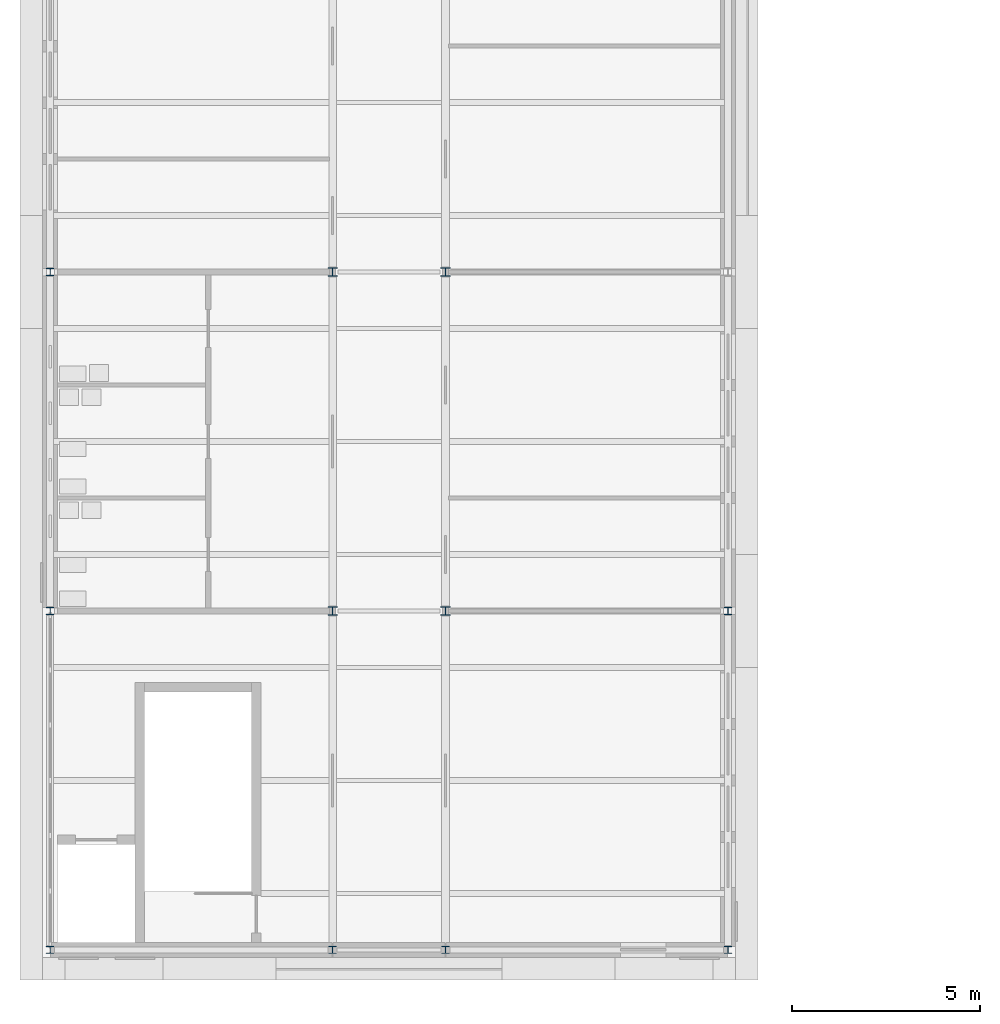
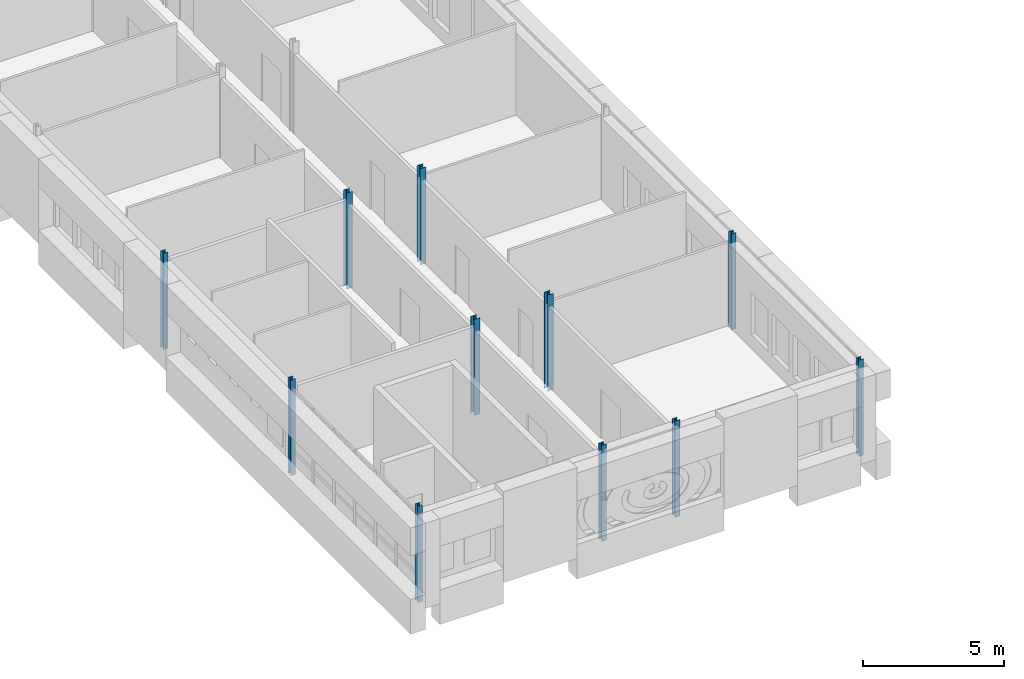
# One storey, part 1 of 42: 11 columns.
"""IFC4 building model written with IfcOpenShell, lengths in metres."""

import ifcopenshell
import ifcopenshell.guid

model = None  # the IFC model being written
_history = None  # IfcOwnerHistory: only IFC2X3 demands one
_inside = {}  # id of a spatial element -> (the spatial element, [elements in it])
_under = {}  # id of a project, library or spatial element -> (it, [spatial elements below it])
_declared = {}  # id of a project -> (the project, [libraries it declares])
_typed = {}  # id of a type object -> (the type object, [elements of that type])
_made_of = {}  # id of a material, layer set ... -> (it, [elements and type objects made of it])


def new_model(schema):
    """Start an empty IFC model of exactly this schema.

    Asked for "IFC4X3", IfcOpenShell would pick the latest addendum, in which some entities
    have other attributes; the version numbers below select the first issue.
    IFC2X3 requires an IfcOwnerHistory on every rooted entity: one is made here for all.
    """
    global model, _history
    if schema == "IFC4X3":
        model = ifcopenshell.file(schema_version=(4, 3, 0, 0))
    else:
        model = ifcopenshell.file(schema=schema)
    _inside.clear()
    _under.clear()
    _declared.clear()
    _typed.clear()
    _made_of.clear()
    _history = None
    if model.schema == "IFC2X3":
        org = make("IfcOrganization", Name="unknown")
        user = make(
            "IfcPersonAndOrganization",
            ThePerson=make("IfcPerson", FamilyName="unknown"),
            TheOrganization=org,
        )
        app = make(
            "IfcApplication",
            ApplicationDeveloper=org,
            Version="unknown",
            ApplicationFullName="unknown",
            ApplicationIdentifier="unknown",
        )
        _history = make(
            "IfcOwnerHistory",
            OwningUser=user,
            OwningApplication=app,
            ChangeAction="ADDED",
            CreationDate=0,
        )
    return model


def make(cls, **values):
    """One entity of the class cls with the attributes given. An attribute that is None is left unset."""
    return model.create_entity(
        cls, **{name: value for name, value in values.items() if value is not None}
    )


def rooted(cls, **values):
    """An entity with a GlobalId (a new one), such as an element, a storey or a relation."""
    return make(cls, GlobalId=ifcopenshell.guid.new(), OwnerHistory=_history, **values)


def si_unit(unit_type, name, prefix=None):
    """IfcSIUnit, for example si_unit("LENGTHUNIT", "METRE", prefix="MILLI")."""
    return make("IfcSIUnit", UnitType=unit_type, Prefix=prefix, Name=name)


def assignment(units):
    """IfcUnitAssignment: the units of a project."""
    return None if units is None else make("IfcUnitAssignment", Units=units)


def point(xyz):
    """IfcCartesianPoint."""
    return None if xyz is None else make("IfcCartesianPoint", Coordinates=xyz)


def direction(xyz):
    """IfcDirection."""
    return None if xyz is None else make("IfcDirection", DirectionRatios=xyz)


def frame(location, z_axis=None, x_axis=None):
    """IfcAxis2Placement3D, a coordinate frame: its origin and axes. An axis left out is left unset."""
    return make(
        "IfcAxis2Placement3D",
        Location=point(location),
        Axis=direction(z_axis),
        RefDirection=direction(x_axis),
    )


def frame_2d(location, x_axis=None):
    """IfcAxis2Placement2D, a coordinate frame in the plane: its origin and x axis."""
    return make(
        "IfcAxis2Placement2D", Location=point(location), RefDirection=direction(x_axis)
    )


def origin():
    """The frame at (0, 0, 0) with its axes left unset."""
    return frame((0.0, 0.0, 0.0))


def origin_2d():
    """The frame at (0, 0) in the plane with its x axis left unset."""
    return frame_2d((0.0, 0.0))


def place(relative_to, where):
    """IfcLocalPlacement: puts the frame where relative to a parent placement (None: the world)."""
    return make(
        "IfcLocalPlacement", PlacementRelTo=relative_to, RelativePlacement=where
    )


def context(
    kind, dimensions, precision=None, world=None, true_north=None, identifier=None
):
    """IfcGeometricRepresentationContext, for example the 3D "Model" context."""
    return make(
        "IfcGeometricRepresentationContext",
        ContextIdentifier=identifier,
        ContextType=kind,
        CoordinateSpaceDimension=dimensions,
        Precision=precision,
        WorldCoordinateSystem=world,
        TrueNorth=true_north,
    )


def subcontext(parent, identifier, kind, view, scale=None):
    """IfcGeometricRepresentationSubContext, for example "Body" below "Model"."""
    return make(
        "IfcGeometricRepresentationSubContext",
        ContextIdentifier=identifier,
        ContextType=kind,
        ParentContext=parent,
        TargetScale=scale,
        TargetView=view,
    )


def project(units=None, contexts=None):
    """IfcProject with its units and contexts."""
    return rooted(
        "IfcProject",
        Name="project",
        RepresentationContexts=contexts,
        UnitsInContext=assignment(units),
    )


def spatial(cls, under=None, at=None, **own):
    """A site, building, storey or space (cls), placed at a placement, below another one or the project."""
    s = rooted(cls, ObjectPlacement=at, **own)
    if under is not None:
        _under.setdefault(under.id(), (under, []))[1].append(s)
    return s


def profile(cls, at=None, kind="AREA", **sizes):
    """A parametric profile (cls). Its sizes go by their IFC names, for example OverallWidth=200.0."""
    return make(cls, ProfileType=kind, Position=at, **sizes)


def i_section(**sizes):
    """IfcIShapeProfileDef."""
    return profile("IfcIShapeProfileDef", **sizes)


def extrude(swept, where, along, depth):
    """IfcExtrudedAreaSolid: the profile swept, set in the frame where, extruded along a direction by depth."""
    return make(
        "IfcExtrudedAreaSolid",
        SweptArea=swept,
        Position=where,
        ExtrudedDirection=direction(along),
        Depth=depth,
    )


def shape(context_of_items, identifier, shape_type, items):
    """IfcShapeRepresentation: the items that make up one representation, for example the "Body"."""
    return make(
        "IfcShapeRepresentation",
        ContextOfItems=context_of_items,
        RepresentationIdentifier=identifier,
        RepresentationType=shape_type,
        Items=items,
    )


def material(Name=None, Category=None):
    """IfcMaterial."""
    return make("IfcMaterial", Name=Name, Category=Category)


def material_profile(
    of_material, cross_section, Name=None, Category=None, Priority=None
):
    """IfcMaterialProfile: a cross section and its material."""
    return make(
        "IfcMaterialProfile",
        Name=Name,
        Material=of_material,
        Profile=cross_section,
        Priority=Priority,
        Category=Category,
    )


def profile_set(profiles, Name=None, composite=None):
    """IfcMaterialProfileSet."""
    return make(
        "IfcMaterialProfileSet",
        Name=Name,
        MaterialProfiles=profiles,
        CompositeProfile=composite,
    )


def made_of(thing, what):
    """Note that an element or type object is made of a material, layer set ...; save() writes the relation."""
    if what is not None:
        _made_of.setdefault(what.id(), (what, []))[1].append(thing)
    return thing


def type_object(cls, material=None, **own):
    """A type object (cls), such as IfcWallType, which elements share."""
    return made_of(rooted(cls, **own), material)


def element(
    cls,
    number,
    at=None,
    inside=None,
    cuts=None,
    type_object=None,
    material=None,
    context=None,
    identifier="Body",
    shape_type=None,
    held_by="IfcProductDefinitionShape",
    body=None,
    shapes=None,
    **own,
):
    """One element of the class cls, such as IfcWall. Its Tag is "e" and its number.

    at: its placement. inside: the storey or other place that contains it. cuts: it is an
    opening in that element (IfcRelVoidsElement). A single representation is given by context,
    identifier, shape_type and body (its items); several are given by shapes. held_by: the class
    of the entity that holds the representations. save() writes the other relations.
    """
    e = rooted(cls, Tag="e%d" % number, ObjectPlacement=at, **own)
    if body is not None:
        shapes = [shape(context, identifier, shape_type, body)]
    if shapes is not None:
        e.Representation = make(held_by, Representations=shapes)
    if inside is not None:
        _inside.setdefault(inside.id(), (inside, []))[1].append(e)
    if cuts is not None:
        rooted(
            "IfcRelVoidsElement", RelatingBuildingElement=cuts, RelatedOpeningElement=e
        )
    if type_object is not None:
        _typed.setdefault(type_object.id(), (type_object, []))[1].append(e)
    return made_of(e, material)


def aggregate(whole, parts):
    """IfcRelAggregates: a whole, such as a stair, and the parts it consists of."""
    return rooted("IfcRelAggregates", RelatingObject=whole, RelatedObjects=parts)


def save(model, path):
    """Write the relations noted so far, then the file.

    IfcRelAggregates (storeys below a building ...), IfcRelContainedInSpatialStructure (elements
    in a storey), IfcRelDefinesByType, IfcRelAssociatesMaterial and IfcRelDeclares: one each for
    every whole, place, type object, material and project.
    """
    for whole, parts in _under.values():
        aggregate(whole, parts)
    for where, things in _inside.values():
        rooted(
            "IfcRelContainedInSpatialStructure",
            RelatedElements=things,
            RelatingStructure=where,
        )
    for kind, things in _typed.values():
        rooted("IfcRelDefinesByType", RelatedObjects=things, RelatingType=kind)
    for what, things in _made_of.values():
        rooted("IfcRelAssociatesMaterial", RelatedObjects=things, RelatingMaterial=what)
    for by, libraries in _declared.values():
        rooted("IfcRelDeclares", RelatingContext=by, RelatedDefinitions=libraries)
    model.write(path)


model = new_model("IFC4")

# Units and contexts
model_context = context("Model", 3, precision=1e-05, world=origin(), true_north=direction((0.0, 1.0)))
body_context = subcontext(model_context, "Body", "Model", "MODEL_VIEW")
ifc_project = project(units=[si_unit("LENGTHUNIT", "METRE"), si_unit("AREAUNIT", "SQUARE_METRE"), si_unit("VOLUMEUNIT", "CUBIC_METRE"), si_unit("PLANEANGLEUNIT", "RADIAN"), si_unit("MASSUNIT", "GRAM", prefix="KILO")], contexts=[model_context])

# Site, building, storey
site_placement = place(None, origin())
site = spatial("IfcSite", under=ifc_project, at=site_placement, CompositionType="ELEMENT")
building_placement = place(site_placement, origin())
building = spatial("IfcBuilding", under=site, at=building_placement, Name="Golden Quay Civic Hall", CompositionType="ELEMENT")
storey_placement = place(building_placement, frame((0.0, 0.0, 22.800048828125)))
storey = spatial("IfcBuildingStorey", under=building, at=storey_placement, Name="L05", CompositionType="ELEMENT", Elevation=22.800048828125)

# Columns
ifc_material_1 = material(Name="Steel S355", Category="steel")
ifc_material_profile_1 = material_profile(ifc_material_1, i_section(OverallWidth=0.199951171875, OverallDepth=0.18994140625, WebThickness=0.006591796875, FlangeThickness=0.010009765625, FilletRadius=0.01806640625, at=origin_2d()), Name="HEA 200")
ifc_profile_set_1 = profile_set([ifc_material_profile_1], Name="Steel S355")
column_type_1 = type_object("IfcColumnType", Name="Steel column HEA 200", PredefinedType="COLUMN", material=ifc_profile_set_1)
for number, where, z_axis, x_axis, name in (
    (1, (0.0, -9.0, -0.199951171875), (0.0, 0.0, 1.0), (1.0, 0.0, 0.0), "Column 0/-9 L05"),
    (2, (0.0, 0.0, -0.199951171875), (0.0, 0.0, 1.0), (1.0, 0.0, 0.0), "Column 0/0 L05"),
    (3, (0.0, 9.0, -0.199951171875), (0.0, 0.0, 1.0), (1.0, 0.0, 0.0), "Column 0/9 L05"),
    (4, (7.5, -9.0, -0.199951171875), (0.0, 0.0, 1.0), (1.0, 0.0, 0.0), "Column 7.5/-9 L05"),
    (5, (10.5, -9.0, -0.199951171875), (0.0, 0.0, 1.0), (1.0, 0.0, 0.0), "Column 10.5/-9 L05"),
    (6, (18.0, -9.0, -0.199951171875), (0.0, 0.0, 1.0), (1.0, 0.0, 0.0), "Column 18/-9 L05"),
    (7, (18.0, 0.0, -0.199951171875), (0.0, 0.0, 1.0), (1.0, 0.0, 0.0), "Column 18/0 L05"),
):
    element("IfcColumn", number, at=place(storey_placement, frame(where, z_axis=z_axis, x_axis=x_axis)), inside=storey, type_object=column_type_1, Name=name, PredefinedType="COLUMN", context=body_context, shape_type="SweptSolid", body=[
        extrude(i_section(OverallWidth=0.199951171875, OverallDepth=0.18994140625, WebThickness=0.006591796875, FlangeThickness=0.010009765625, FilletRadius=0.01806640625, at=origin_2d()), origin(), (0.0, 0.0, 1.0), 4.14990234375),
    ])
ifc_material_2 = material(Name="Steel S355", Category="steel")
ifc_material_profile_2 = material_profile(ifc_material_2, i_section(OverallWidth=0.239990234375, OverallDepth=0.22998046875, WebThickness=0.007568359375, FlangeThickness=0.011962890625, FilletRadius=0.02099609375, at=origin_2d()), Name="HEA 240")
ifc_profile_set_2 = profile_set([ifc_material_profile_2], Name="Steel S355")
column_type_2 = type_object("IfcColumnType", Name="Steel column HEA 240", PredefinedType="COLUMN", material=ifc_profile_set_2)
for number, where, z_axis, x_axis, name in (
    (8, (7.5, 0.0, -0.199951171875), (0.0, 0.0, 1.0), (1.0, 0.0, 0.0), "Column 7.5/0 L05"),
    (9, (7.5, 9.0, -0.199951171875), (0.0, 0.0, 1.0), (1.0, 0.0, 0.0), "Column 7.5/9 L05"),
    (10, (10.5, 0.0, -0.199951171875), (0.0, 0.0, 1.0), (1.0, 0.0, 0.0), "Column 10.5/0 L05"),
    (11, (10.5, 9.0, -0.199951171875), (0.0, 0.0, 1.0), (1.0, 0.0, 0.0), "Column 10.5/9 L05"),
):
    element("IfcColumn", number, at=place(storey_placement, frame(where, z_axis=z_axis, x_axis=x_axis)), inside=storey, type_object=column_type_2, Name=name, PredefinedType="COLUMN", context=body_context, shape_type="SweptSolid", body=[
        extrude(i_section(OverallWidth=0.239990234375, OverallDepth=0.22998046875, WebThickness=0.007568359375, FlangeThickness=0.011962890625, FilletRadius=0.02099609375, at=origin_2d()), origin(), (0.0, 0.0, 1.0), 4.14990234375),
    ])

save(model, "model.ifc")
